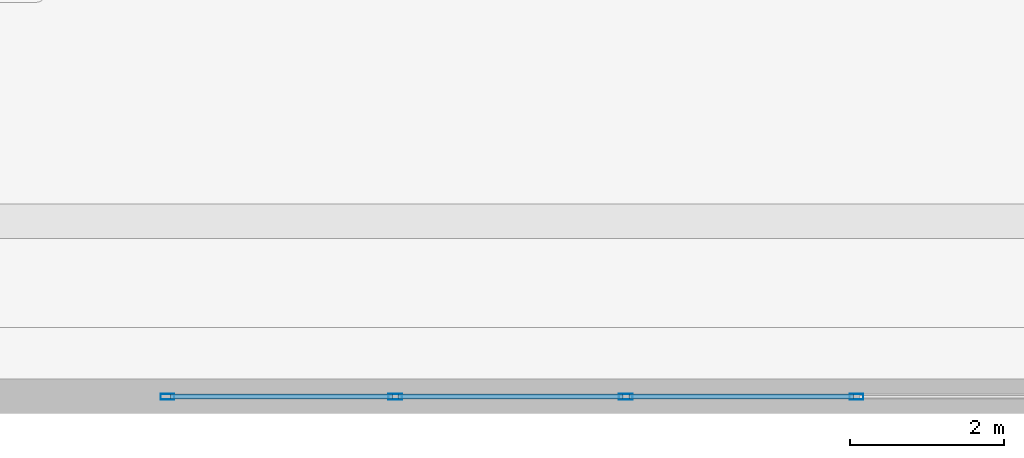
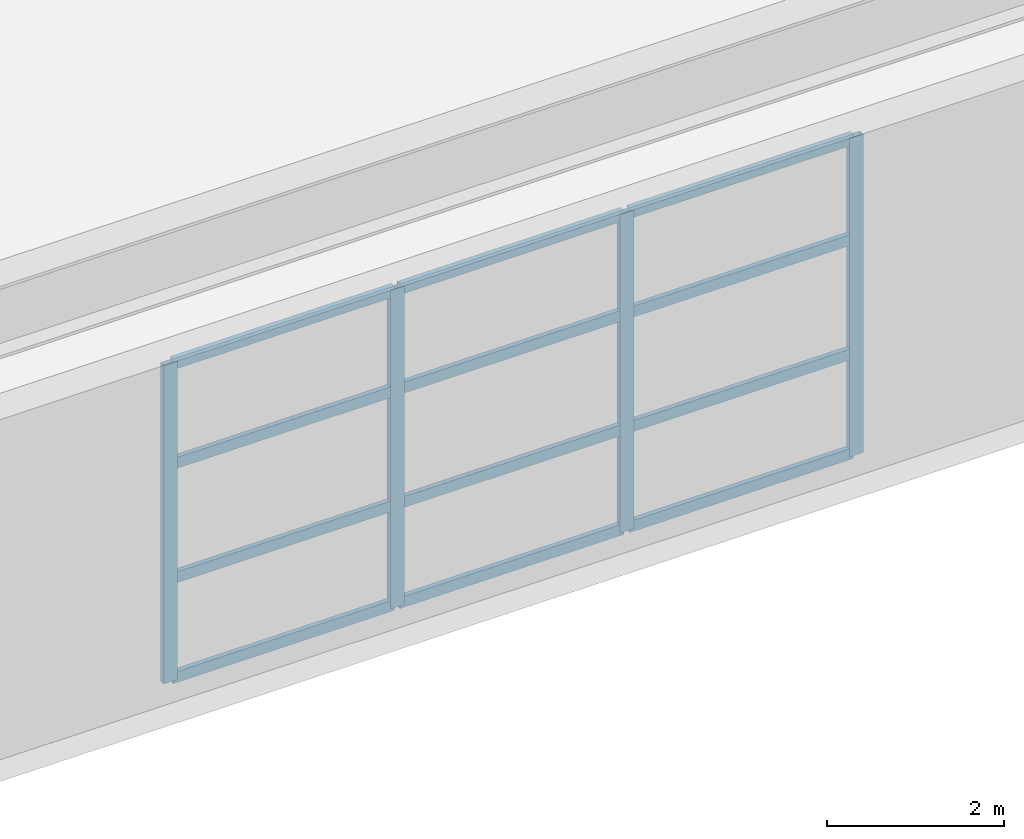
# One storey, part 6 of 35: 16 members, 1 element without a shape of its own.
"""IFC4 building model written with IfcOpenShell, lengths in metres."""

from ifc_helpers import new_model, si_unit, direction, frame, origin, origin_2d, place, context, subcontext, project, spatial, hollow_rectangle, extrude, material, layer, layer_set, material_profile, profile_set, type_object, element, aggregate, save


model = new_model("IFC4")

# Units and contexts
model_context = context("Model", 3, precision=1e-05, world=origin(), true_north=direction((0.0, 1.0)))
body_context = subcontext(model_context, "Body", "Model", "MODEL_VIEW")
ifc_project = project(units=[si_unit("LENGTHUNIT", "METRE"), si_unit("AREAUNIT", "SQUARE_METRE"), si_unit("VOLUMEUNIT", "CUBIC_METRE"), si_unit("PLANEANGLEUNIT", "RADIAN"), si_unit("MASSUNIT", "GRAM", prefix="KILO")], contexts=[model_context])

# Site, building, storey
site_placement = place(None, origin())
site = spatial("IfcSite", under=ifc_project, at=site_placement, CompositionType="ELEMENT")
building_placement = place(site_placement, origin())
building = spatial("IfcBuilding", under=site, at=building_placement, Name="Qiaolan Cultural Towers", CompositionType="ELEMENT")
storey_placement = place(building_placement, frame((0.0, 0.0, 11.5)))
storey = spatial("IfcBuildingStorey", under=building, at=storey_placement, Name="L02", CompositionType="ELEMENT", Elevation=11.5)

# Curtain wall, members
ifc_material_1 = material(Name="Unitized Anodized Aluminium Curtain Wall System", Category="aluminium")
ifc_layer = layer(ifc_material_1, 0.199951171875)
ifc_layer_set = layer_set([ifc_layer], Name="Unitized Anodized Aluminium Curtain Wall System")
curtain_wall_type = type_object("IfcCurtainWallType", Name="CWS-01", PredefinedType="NOTDEFINED", material=ifc_layer_set)
curtain_wall_placement = place(storey_placement, origin())
curtain_wall = element("IfcCurtainWall", 1, at=curtain_wall_placement, inside=storey, type_object=curtain_wall_type, Name="L02 South Atrium Curtain Wall", PredefinedType="NOTDEFINED")
ifc_material_2 = material(Name="Extruded Aluminium 6063-T6", Category="aluminium")
ifc_material_profile_1 = material_profile(ifc_material_2, hollow_rectangle(XDim=0.074951171875, YDim=0.179931640625, WallThickness=0.00390625, at=origin_2d()), Name="CWM-180x75x4")
ifc_profile_set_1 = profile_set([ifc_material_profile_1], Name="Extruded Aluminium 6063-T6")
member_type_1 = type_object("IfcMemberType", Name="CWS-01-MUL", PredefinedType="MULLION", material=ifc_profile_set_1)
member_1_placement = place(storey_placement, frame((50.03759765625, 0.219970703125, 0.14990234375), z_axis=(0.0, 0.0, 1.0), x_axis=(0.0, 1.0, 0.0)))
member_1 = element("IfcMember", 2, at=member_1_placement, type_object=member_type_1, Name="CW-1 mullion 1", PredefinedType="MULLION", context=body_context, shape_type="SweptSolid", body=[
    extrude(hollow_rectangle(XDim=0.074951171875, YDim=0.179931640625, WallThickness=0.00390625, at=origin_2d()), origin(), (0.0, 0.0, 1.0), 4.400146484375),
])
member_2_placement = place(storey_placement, frame((53.0, 0.219970703125, 0.14990234375), z_axis=(0.0, 0.0, 1.0), x_axis=(0.0, 1.0, 0.0)))
member_2 = element("IfcMember", 3, at=member_2_placement, type_object=member_type_1, Name="CW-1 mullion 2", PredefinedType="MULLION", context=body_context, shape_type="SweptSolid", body=[
    extrude(hollow_rectangle(XDim=0.074951171875, YDim=0.179931640625, WallThickness=0.00390625, at=origin_2d()), origin(), (0.0, 0.0, 1.0), 4.400146484375),
])
member_3_placement = place(storey_placement, frame((56.0, 0.219970703125, 0.14990234375), z_axis=(0.0, 0.0, 1.0), x_axis=(0.0, 1.0, 0.0)))
member_3 = element("IfcMember", 4, at=member_3_placement, type_object=member_type_1, Name="CW-1 mullion 3", PredefinedType="MULLION", context=body_context, shape_type="SweptSolid", body=[
    extrude(hollow_rectangle(XDim=0.074951171875, YDim=0.179931640625, WallThickness=0.00390625, at=origin_2d()), origin(), (0.0, 0.0, 1.0), 4.400146484375),
])
member_4_placement = place(storey_placement, frame((59.0, 0.219970703125, 0.14990234375), z_axis=(0.0, 0.0, 1.0), x_axis=(0.0, 1.0, 0.0)))
member_4 = element("IfcMember", 5, at=member_4_placement, type_object=member_type_1, Name="CW-1 mullion 4", PredefinedType="MULLION", context=body_context, shape_type="SweptSolid", body=[
    extrude(hollow_rectangle(XDim=0.074951171875, YDim=0.179931640625, WallThickness=0.00390625, at=origin_2d()), origin(), (0.0, 0.0, 1.0), 4.400146484375),
])
ifc_material_3 = material(Name="Extruded Aluminium 6063-T6", Category="aluminium")
ifc_material_profile_2 = material_profile(ifc_material_3, hollow_rectangle(XDim=0.06494140625, YDim=0.14990234375, WallThickness=0.00390625, at=origin_2d()), Name="CWT-150x65x4")
ifc_profile_set_2 = profile_set([ifc_material_profile_2], Name="Extruded Aluminium 6063-T6")
member_type_2 = type_object("IfcMemberType", Name="CWS-01-TRN", PredefinedType="USERDEFINED", material=ifc_profile_set_2)
member_5_placement = place(storey_placement, frame((50.074951171875, 0.219970703125, 0.1826171875), z_axis=(1.0, 0.0, 0.0), x_axis=(0.0, 1.0, 0.0)))
member_5 = element("IfcMember", 6, at=member_5_placement, type_object=member_type_2, Name="CW-1 transom 1.1", ObjectType="TRANSOM", PredefinedType="USERDEFINED", context=body_context, shape_type="SweptSolid", body=[
    extrude(hollow_rectangle(XDim=0.06494140625, YDim=0.14990234375, WallThickness=0.00390625, at=origin_2d()), origin(), (0.0, 0.0, 1.0), 2.887451171875),
])
member_6_placement = place(storey_placement, frame((50.074951171875, 0.219970703125, 1.56005859375), z_axis=(1.0, 0.0, 0.0), x_axis=(0.0, 1.0, 0.0)))
member_6 = element("IfcMember", 7, at=member_6_placement, type_object=member_type_2, Name="CW-1 transom 1.2", ObjectType="TRANSOM", PredefinedType="USERDEFINED", context=body_context, shape_type="SweptSolid", body=[
    extrude(hollow_rectangle(XDim=0.06494140625, YDim=0.14990234375, WallThickness=0.00390625, at=origin_2d()), origin(), (0.0, 0.0, 1.0), 2.887451171875),
])
member_7_placement = place(storey_placement, frame((50.074951171875, 0.219970703125, 3.139892578125), z_axis=(1.0, 0.0, 0.0), x_axis=(0.0, 1.0, 0.0)))
member_7 = element("IfcMember", 8, at=member_7_placement, type_object=member_type_2, Name="CW-1 transom 1.3", ObjectType="TRANSOM", PredefinedType="USERDEFINED", context=body_context, shape_type="SweptSolid", body=[
    extrude(hollow_rectangle(XDim=0.06494140625, YDim=0.14990234375, WallThickness=0.00390625, at=origin_2d()), origin(), (0.0, 0.0, 1.0), 2.887451171875),
])
member_8_placement = place(storey_placement, frame((50.074951171875, 0.219970703125, 4.517578125), z_axis=(1.0, 0.0, 0.0), x_axis=(0.0, 1.0, 0.0)))
member_8 = element("IfcMember", 9, at=member_8_placement, type_object=member_type_2, Name="CW-1 transom 1.4", ObjectType="TRANSOM", PredefinedType="USERDEFINED", context=body_context, shape_type="SweptSolid", body=[
    extrude(hollow_rectangle(XDim=0.06494140625, YDim=0.14990234375, WallThickness=0.00390625, at=origin_2d()), origin(), (0.0, 0.0, 1.0), 2.887451171875),
])
member_9_placement = place(storey_placement, frame((53.03759765625, 0.219970703125, 0.1826171875), z_axis=(1.0, 0.0, 0.0), x_axis=(0.0, 1.0, 0.0)))
member_9 = element("IfcMember", 10, at=member_9_placement, type_object=member_type_2, Name="CW-1 transom 2.1", ObjectType="TRANSOM", PredefinedType="USERDEFINED", context=body_context, shape_type="SweptSolid", body=[
    extrude(hollow_rectangle(XDim=0.06494140625, YDim=0.14990234375, WallThickness=0.00390625, at=origin_2d()), origin(), (0.0, 0.0, 1.0), 2.9248046875),
])
member_10_placement = place(storey_placement, frame((53.03759765625, 0.219970703125, 1.56005859375), z_axis=(1.0, 0.0, 0.0), x_axis=(0.0, 1.0, 0.0)))
member_10 = element("IfcMember", 11, at=member_10_placement, type_object=member_type_2, Name="CW-1 transom 2.2", ObjectType="TRANSOM", PredefinedType="USERDEFINED", context=body_context, shape_type="SweptSolid", body=[
    extrude(hollow_rectangle(XDim=0.06494140625, YDim=0.14990234375, WallThickness=0.00390625, at=origin_2d()), origin(), (0.0, 0.0, 1.0), 2.9248046875),
])
member_11_placement = place(storey_placement, frame((53.03759765625, 0.219970703125, 3.139892578125), z_axis=(1.0, 0.0, 0.0), x_axis=(0.0, 1.0, 0.0)))
member_11 = element("IfcMember", 12, at=member_11_placement, type_object=member_type_2, Name="CW-1 transom 2.3", ObjectType="TRANSOM", PredefinedType="USERDEFINED", context=body_context, shape_type="SweptSolid", body=[
    extrude(hollow_rectangle(XDim=0.06494140625, YDim=0.14990234375, WallThickness=0.00390625, at=origin_2d()), origin(), (0.0, 0.0, 1.0), 2.9248046875),
])
member_12_placement = place(storey_placement, frame((53.03759765625, 0.219970703125, 4.517578125), z_axis=(1.0, 0.0, 0.0), x_axis=(0.0, 1.0, 0.0)))
member_12 = element("IfcMember", 13, at=member_12_placement, type_object=member_type_2, Name="CW-1 transom 2.4", ObjectType="TRANSOM", PredefinedType="USERDEFINED", context=body_context, shape_type="SweptSolid", body=[
    extrude(hollow_rectangle(XDim=0.06494140625, YDim=0.14990234375, WallThickness=0.00390625, at=origin_2d()), origin(), (0.0, 0.0, 1.0), 2.9248046875),
])
member_13_placement = place(storey_placement, frame((56.03759765625, 0.219970703125, 0.1826171875), z_axis=(1.0, 0.0, 0.0), x_axis=(0.0, 1.0, 0.0)))
member_13 = element("IfcMember", 14, at=member_13_placement, type_object=member_type_2, Name="CW-1 transom 3.1", ObjectType="TRANSOM", PredefinedType="USERDEFINED", context=body_context, shape_type="SweptSolid", body=[
    extrude(hollow_rectangle(XDim=0.06494140625, YDim=0.14990234375, WallThickness=0.00390625, at=origin_2d()), origin(), (0.0, 0.0, 1.0), 2.9248046875),
])
member_14_placement = place(storey_placement, frame((56.03759765625, 0.219970703125, 1.56005859375), z_axis=(1.0, 0.0, 0.0), x_axis=(0.0, 1.0, 0.0)))
member_14 = element("IfcMember", 15, at=member_14_placement, type_object=member_type_2, Name="CW-1 transom 3.2", ObjectType="TRANSOM", PredefinedType="USERDEFINED", context=body_context, shape_type="SweptSolid", body=[
    extrude(hollow_rectangle(XDim=0.06494140625, YDim=0.14990234375, WallThickness=0.00390625, at=origin_2d()), origin(), (0.0, 0.0, 1.0), 2.9248046875),
])
member_15_placement = place(storey_placement, frame((56.03759765625, 0.219970703125, 3.139892578125), z_axis=(1.0, 0.0, 0.0), x_axis=(0.0, 1.0, 0.0)))
member_15 = element("IfcMember", 16, at=member_15_placement, type_object=member_type_2, Name="CW-1 transom 3.3", ObjectType="TRANSOM", PredefinedType="USERDEFINED", context=body_context, shape_type="SweptSolid", body=[
    extrude(hollow_rectangle(XDim=0.06494140625, YDim=0.14990234375, WallThickness=0.00390625, at=origin_2d()), origin(), (0.0, 0.0, 1.0), 2.9248046875),
])
member_16_placement = place(storey_placement, frame((56.03759765625, 0.219970703125, 4.517578125), z_axis=(1.0, 0.0, 0.0), x_axis=(0.0, 1.0, 0.0)))
member_16 = element("IfcMember", 17, at=member_16_placement, type_object=member_type_2, Name="CW-1 transom 3.4", ObjectType="TRANSOM", PredefinedType="USERDEFINED", context=body_context, shape_type="SweptSolid", body=[
    extrude(hollow_rectangle(XDim=0.06494140625, YDim=0.14990234375, WallThickness=0.00390625, at=origin_2d()), origin(), (0.0, 0.0, 1.0), 2.9248046875),
])
aggregate(curtain_wall, [member_1, member_2, member_3, member_4, member_5, member_6, member_7, member_8, member_9, member_10, member_11, member_12, member_13, member_14, member_15, member_16])

save(model, "model.ifc")
